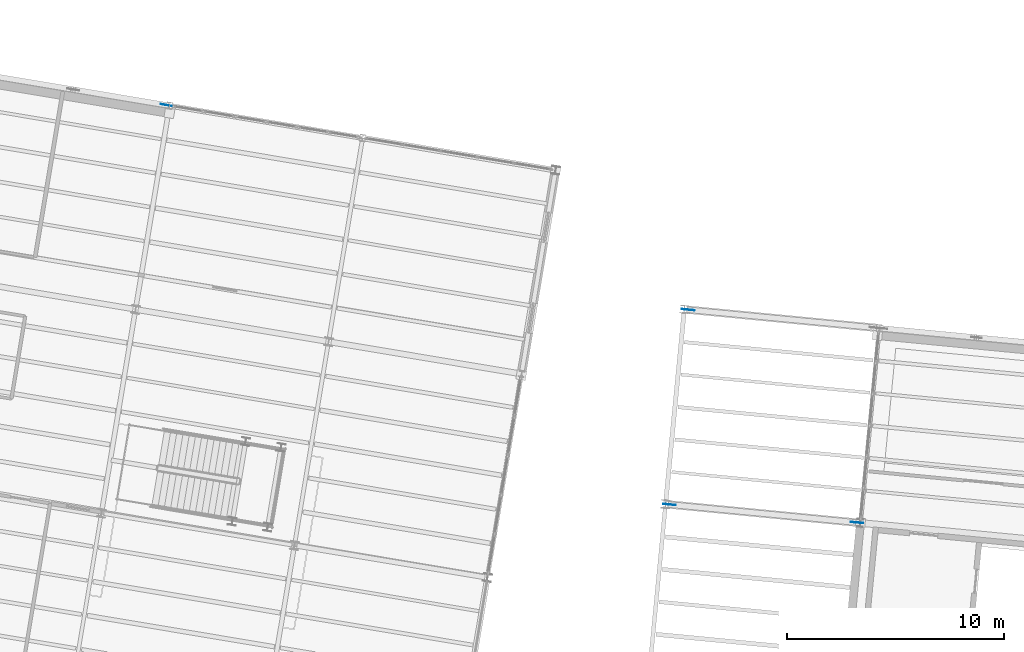
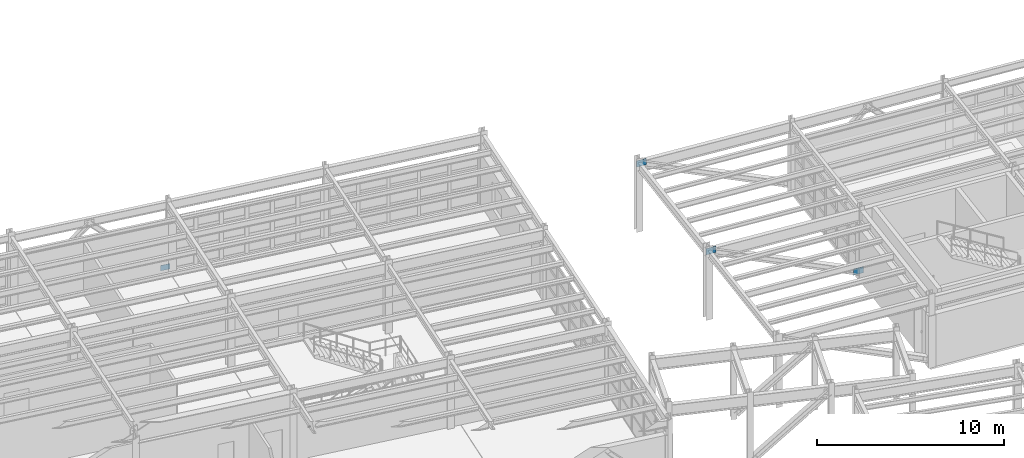
# One storey, part 84 of 109: 4 plates.
"""IFC4 building model written with IfcOpenShell, lengths in metres."""

from ifc_helpers import new_model, si_unit, direction, frame, origin, origin_2d, place, context, subcontext, project, spatial, rectangle, extrude, material, layer, layer_set, type_object, element, save


model = new_model("IFC4")

# Units and contexts
model_context = context("Model", 3, precision=1e-05, world=origin(), true_north=direction((0.0, 1.0)))
body_context = subcontext(model_context, "Body", "Model", "MODEL_VIEW")
ifc_project = project(units=[si_unit("LENGTHUNIT", "METRE"), si_unit("AREAUNIT", "SQUARE_METRE"), si_unit("VOLUMEUNIT", "CUBIC_METRE"), si_unit("PLANEANGLEUNIT", "RADIAN"), si_unit("MASSUNIT", "GRAM", prefix="KILO")], contexts=[model_context])

# Site, building, storey
site_placement = place(None, origin())
site = spatial("IfcSite", under=ifc_project, at=site_placement, CompositionType="ELEMENT")
building_placement = place(site_placement, origin())
building = spatial("IfcBuilding", under=site, at=building_placement, Name="Vireo Bluff Cable Station", CompositionType="ELEMENT")
storey_placement = place(building_placement, frame((0.0, 0.0, 4.800048828125)))
storey = spatial("IfcBuildingStorey", under=building, at=storey_placement, Name="L01", CompositionType="ELEMENT", Elevation=4.800048828125)

# Plates
ifc_material = material(Name="Steel ASTM A572 Gr. 50", Category="steel")
ifc_layer_1 = layer(ifc_material, 0.02099609375, Name="Steel ASTM A572 Gr. 50")
ifc_layer_set_1 = layer_set([ifc_layer_1], Name="Steel ASTM A572 Gr. 50")
plate_type_1 = type_object("IfcPlateType", Name="GUSSET-520X350X21", PredefinedType="USERDEFINED", material=ifc_layer_set_1)
plate_placement = place(storey_placement, frame((36.67578125, 95.17919921875, 0.044921875), z_axis=(0.0, 0.0, 1.0), x_axis=(0.986285601537, -0.165047605861, 0.0)))
element("IfcPlate", 1, at=plate_placement, inside=storey, type_object=plate_type_1, Name="V4 L01 brace base gusset plate 192", ObjectType="GUSSET PLATE", PredefinedType="USERDEFINED", context=body_context, shape_type="SweptSolid", body=[
    extrude(rectangle(XDim=0.52001953125, YDim=0.02099609375, at=origin_2d()), origin(), (0.0, 0.0, 1.0), 0.35009765625),
])
ifc_layer_2 = layer(ifc_material, 0.02392578125, Name="Steel ASTM A572 Gr. 50")
ifc_layer_set_2 = layer_set([ifc_layer_2], Name="Steel ASTM A572 Gr. 50")
plate_type_2 = type_object("IfcPlateType", Name="GUSSET-580X400X24", PredefinedType="USERDEFINED", material=ifc_layer_set_2)
for number, where, z_axis, x_axis, name in (
    (2, (68.451416015625, 75.976806640625, 0.300048828125), (0.0, 0.0, 1.0), (0.995396198367, -0.09584575252, 0.0), "V3 prow raking strut end plate 2A"),
    (3, (59.8212890625, 76.807861328125, 4.14990234375), (0.0, 0.0, 1.0), (0.995396198367, -0.09584575252, 0.0), "V3 prow raking strut end plate 2B"),
    (4, (60.683837890625, 85.766357421875, 4.14990234375), (0.0, 0.0, 1.0), (0.995396198367, -0.09584575252, 0.0), "V3 prow raking strut end plate 3B"),
):
    element("IfcPlate", number, at=place(storey_placement, frame(where, z_axis=z_axis, x_axis=x_axis)), inside=storey, type_object=plate_type_2, Name=name, ObjectType="GUSSET PLATE", PredefinedType="USERDEFINED", context=body_context, shape_type="SweptSolid", body=[
        extrude(rectangle(XDim=0.580078125, YDim=0.02392578125, at=origin_2d()), origin(), (0.0, 0.0, 1.0), 0.39990234375),
    ])

save(model, "model.ifc")
